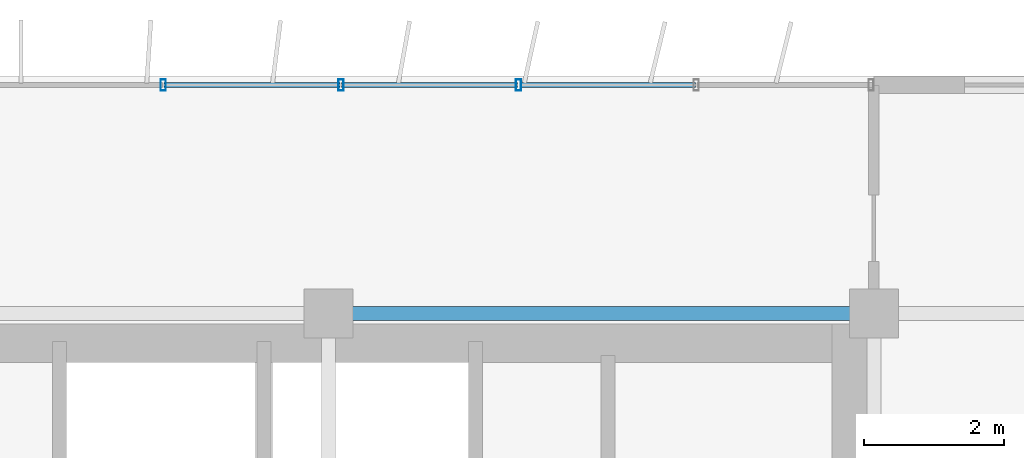
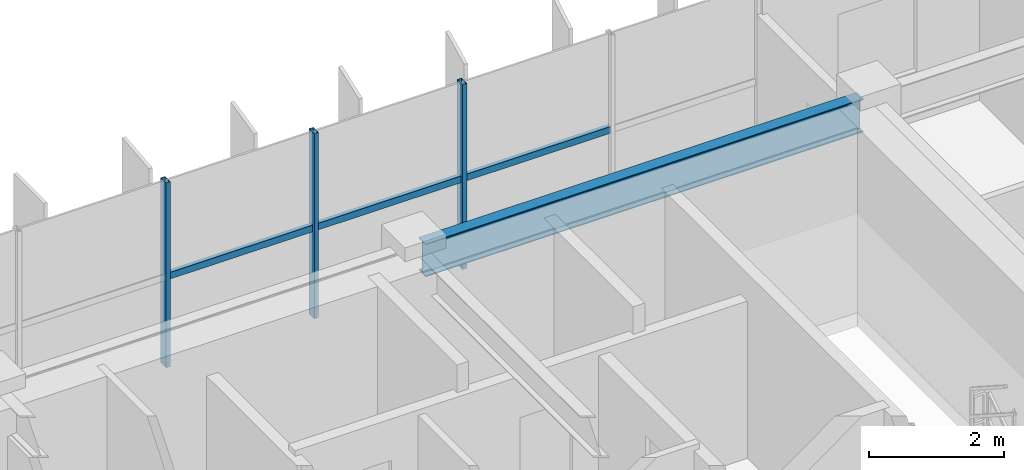
# One storey, part 10 of 21: 6 members, 1 beam, 1 element without a shape of its own.
"""IFC4 building model written with IfcOpenShell, lengths in metres."""

from ifc_helpers import new_model, si_unit, direction, frame, origin, origin_2d, place, context, subcontext, project, spatial, hollow_rectangle, i_section, extrude, source, transform, mapped, material, material_profile, profile_set, type_object, element, aggregate, save


model = new_model("IFC4")

# Units and contexts
model_context = context("Model", 3, precision=1e-05, world=origin(), true_north=direction((0.0, 1.0)))
body_context = subcontext(model_context, "Body", "Model", "MODEL_VIEW")
ifc_project = project(units=[si_unit("LENGTHUNIT", "METRE"), si_unit("AREAUNIT", "SQUARE_METRE"), si_unit("VOLUMEUNIT", "CUBIC_METRE"), si_unit("PLANEANGLEUNIT", "RADIAN"), si_unit("MASSUNIT", "GRAM", prefix="KILO")], contexts=[model_context])

# Site, building, storey
site_placement = place(None, origin())
site = spatial("IfcSite", under=ifc_project, at=site_placement, CompositionType="ELEMENT")
building_placement = place(site_placement, origin())
building = spatial("IfcBuilding", under=site, at=building_placement, Name="Trelvane Seafront Commons", CompositionType="ELEMENT")
storey_placement = place(building_placement, frame((0.0, 0.0, 157.300048828125)))
storey = spatial("IfcBuildingStorey", under=building, at=storey_placement, Name="L41", CompositionType="ELEMENT", Elevation=157.300048828125)

# Beam
ifc_material_1 = material(Name="Steel SM355 (S355)", Category="steel")
ifc_material_profile_1 = material_profile(ifc_material_1, i_section(OverallWidth=0.199951171875, OverallDepth=0.60009765625, WebThickness=0.010986328125, FlangeThickness=0.01708984375, at=origin_2d()), Name="H-600x200x11x17")
ifc_profile_set_1 = profile_set([ifc_material_profile_1], Name="Steel SM355 (S355)")
beam_type = type_object("IfcBeamType", Name="STR-SPD-H600", PredefinedType="SPANDREL", material=ifc_profile_set_1)
shared_shape_1 = source(origin(), body_context, "Body", "SweptSolid", [
    extrude(i_section(OverallWidth=0.199951171875, OverallDepth=0.60009765625, WebThickness=0.010986328125, FlangeThickness=0.01708984375, at=origin_2d()), origin(), (0.0, 0.0, 1.0), 7.5),
])
beam_placement = place(storey_placement, frame((51.14990234375, 45.10009765625, 3.050048828125), z_axis=(1.0, 0.0, 0.0), x_axis=(0.0, 1.0, 0.0)))
element("IfcBeam", 1, at=beam_placement, inside=storey, type_object=beam_type, Name="L41 Primary Girder G-27", PredefinedType="SPANDREL", context=body_context, shape_type="MappedRepresentation", body=[
    mapped(shared_shape_1, transform((0.0, 0.0, 0.0), x_axis=(1.0, 0.0, 0.0), y_axis=(0.0, 1.0, 0.0), z_axis=(0.0, 0.0, 1.0), scale=1.0)),
])

# Curtain wall, members
ifc_material_2 = material(Name="Anodised pale-silver aluminium", Category="aluminium")
curtain_wall_type = type_object("IfcCurtainWallType", Name="ARCH-CW5-UPTOWER", PredefinedType="NOTDEFINED", material=ifc_material_2)
curtain_wall_placement = place(storey_placement, origin())
curtain_wall = element("IfcCurtainWall", 2, at=curtain_wall_placement, inside=storey, type_object=curtain_wall_type, Name="CW-L41-0068", PredefinedType="NOTDEFINED")
ifc_material_profile_2 = material_profile(ifc_material_2, hollow_rectangle(XDim=0.070068359375, YDim=0.1201171875, WallThickness=0.00390625, at=origin_2d()), Name="TRAN-70x120x4")
ifc_profile_set_2 = profile_set([ifc_material_profile_2], Name="Anodised pale-silver aluminium")
member_type_1 = type_object("IfcMemberType", Name="ARCH-CW-TRAN-120", PredefinedType="USERDEFINED", material=ifc_profile_set_2)
shared_shape_2 = source(origin(), body_context, "Body", "SweptSolid", [
    extrude(hollow_rectangle(XDim=0.070068359375, YDim=0.1201171875, WallThickness=0.00390625, at=origin_2d()), origin(), (0.0, 0.0, 1.0), 2.51708984375),
])
member_1_placement = place(storey_placement, frame((51.1884765625, 48.3701171875, 1.60791015625), z_axis=(1.0, 0.0, 0.0), x_axis=(0.0, 1.0, 0.0)))
member_1 = element("IfcMember", 3, at=member_1_placement, type_object=member_type_1, Name="CW-L41-0068-T14", ObjectType="TRANSOM", PredefinedType="USERDEFINED", context=body_context, shape_type="MappedRepresentation", body=[
    mapped(shared_shape_2, transform((0.0, 0.0, 0.0), x_axis=(1.0, 0.0, 0.0), y_axis=(0.0, 1.0, 0.0), z_axis=(0.0, 0.0, 1.0), scale=1.0)),
])
shared_shape_3 = source(origin(), body_context, "Body", "SweptSolid", [
    extrude(hollow_rectangle(XDim=0.070068359375, YDim=0.1201171875, WallThickness=0.00390625, at=origin_2d()), origin(), (0.0, 0.0, 1.0), 2.517333984375),
])
member_2_placement = place(storey_placement, frame((48.647216796875, 48.3701171875, 1.60791015625), z_axis=(1.0, 0.0, 0.0), x_axis=(0.0, 1.0, 0.0)))
member_2 = element("IfcMember", 4, at=member_2_placement, type_object=member_type_1, Name="CW-L41-0068-T13", ObjectType="TRANSOM", PredefinedType="USERDEFINED", context=body_context, shape_type="MappedRepresentation", body=[
    mapped(shared_shape_3, transform((0.0, 0.0, 0.0), x_axis=(1.0, 0.0, 0.0), y_axis=(0.0, 1.0, 0.0), z_axis=(0.0, 0.0, 1.0), scale=1.0)),
])
member_3_placement = place(storey_placement, frame((53.7294921875, 48.3701171875, 1.60791015625), z_axis=(1.0, 0.0, 0.0), x_axis=(0.0, 1.0, 0.0)))
member_3 = element("IfcMember", 5, at=member_3_placement, type_object=member_type_1, Name="CW-L41-0068-T15", ObjectType="TRANSOM", PredefinedType="USERDEFINED", context=body_context, shape_type="MappedRepresentation", body=[
    mapped(shared_shape_3, transform((0.0, 0.0, 0.0), x_axis=(1.0, 0.0, 0.0), y_axis=(0.0, 1.0, 0.0), z_axis=(0.0, 0.0, 1.0), scale=1.0)),
])
ifc_material_profile_3 = material_profile(ifc_material_2, hollow_rectangle(XDim=0.074951171875, YDim=0.159912109375, WallThickness=0.00390625, at=origin_2d()), Name="MULL-75x160x4")
ifc_profile_set_3 = profile_set([ifc_material_profile_3], Name="Anodised pale-silver aluminium")
member_type_2 = type_object("IfcMemberType", Name="ARCH-CW-MULL-160", PredefinedType="MULLION", material=ifc_profile_set_3)
shared_shape_4 = source(origin(), body_context, "Body", "SweptSolid", [
    extrude(hollow_rectangle(XDim=0.074951171875, YDim=0.159912109375, WallThickness=0.00390625, at=origin_2d()), origin(), (0.0, 0.0, 1.0), 3.349853515625),
])
member_4_placement = place(storey_placement, frame((48.63525390625, 48.3701171875, 0.0), z_axis=(0.0, 0.0, 1.0), x_axis=(1.0, 0.0, 0.0)))
member_4 = element("IfcMember", 6, at=member_4_placement, type_object=member_type_2, Name="CW-L41-0068-M13", PredefinedType="MULLION", context=body_context, shape_type="MappedRepresentation", body=[
    mapped(shared_shape_4, transform((0.0, 0.0, 0.0), x_axis=(1.0, 0.0, 0.0), y_axis=(0.0, 1.0, 0.0), z_axis=(0.0, 0.0, 1.0), scale=1.0)),
])
member_5_placement = place(storey_placement, frame((51.176513671875, 48.3701171875, 0.0), z_axis=(0.0, 0.0, 1.0), x_axis=(1.0, 0.0, 0.0)))
member_5 = element("IfcMember", 7, at=member_5_placement, type_object=member_type_2, Name="CW-L41-0068-M14", PredefinedType="MULLION", context=body_context, shape_type="MappedRepresentation", body=[
    mapped(shared_shape_4, transform((0.0, 0.0, 0.0), x_axis=(1.0, 0.0, 0.0), y_axis=(0.0, 1.0, 0.0), z_axis=(0.0, 0.0, 1.0), scale=1.0)),
])
member_6_placement = place(storey_placement, frame((53.717529296875, 48.3701171875, 0.0), z_axis=(0.0, 0.0, 1.0), x_axis=(1.0, 0.0, 0.0)))
member_6 = element("IfcMember", 8, at=member_6_placement, type_object=member_type_2, Name="CW-L41-0068-M15", PredefinedType="MULLION", context=body_context, shape_type="MappedRepresentation", body=[
    mapped(shared_shape_4, transform((0.0, 0.0, 0.0), x_axis=(1.0, 0.0, 0.0), y_axis=(0.0, 1.0, 0.0), z_axis=(0.0, 0.0, 1.0), scale=1.0)),
])
aggregate(curtain_wall, [member_4, member_5, member_6, member_2, member_1, member_3])

save(model, "model.ifc")
